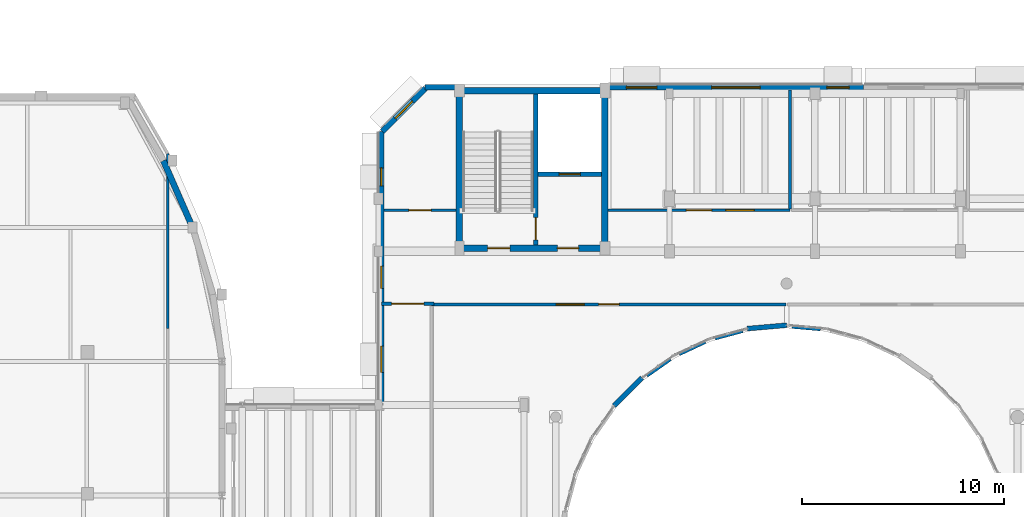
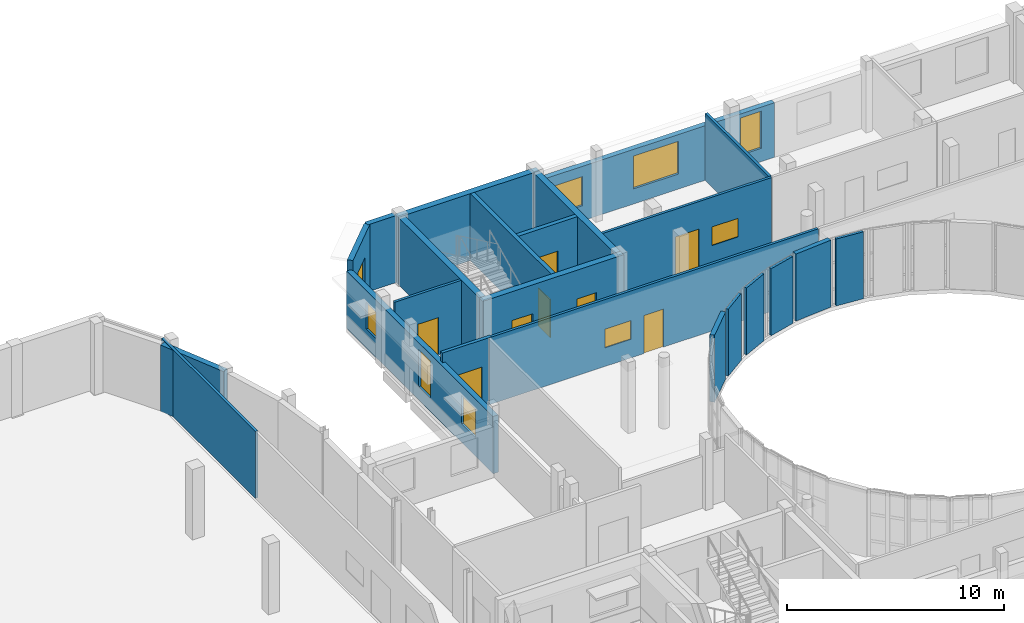
# One storey, part 82 of 105: 23 walls, 9 windows, 8 doors, 17 openings.
"""IFC4 building model written with IfcOpenShell, lengths in metres."""

from ifc_helpers import new_model, si_unit, direction, frame, frame_2d, origin, place, context, subcontext, project, spatial, rectangle, extrude, material, layer, layer_set, type_object, element, fill, save


model = new_model("IFC4")

# Units and contexts
model_context = context("Model", 3, precision=1e-05, world=origin(), true_north=direction((0.0, 1.0)))
body_context = subcontext(model_context, "Body", "Model", "MODEL_VIEW")
ifc_project = project(units=[si_unit("LENGTHUNIT", "METRE"), si_unit("AREAUNIT", "SQUARE_METRE"), si_unit("VOLUMEUNIT", "CUBIC_METRE"), si_unit("PLANEANGLEUNIT", "RADIAN"), si_unit("MASSUNIT", "GRAM", prefix="KILO")], contexts=[model_context])

# Site, building, storey
site_placement = place(None, origin())
site = spatial("IfcSite", under=ifc_project, at=site_placement, CompositionType="ELEMENT")
building_placement = place(site_placement, origin())
building = spatial("IfcBuilding", under=site, at=building_placement, Name="Kelanivale Promenade Academy", CompositionType="ELEMENT")
storey_placement = place(building_placement, frame((0.0, 0.0, 4.199951171875)))
storey = spatial("IfcBuildingStorey", under=building, at=storey_placement, Name="L01", CompositionType="ELEMENT", Elevation=4.199951171875)

# Wall, openings, doors
ifc_material_1 = material(Name="Concrete C40/50", Category="concrete")
ifc_layer_1 = layer(ifc_material_1, 0.330078125)
ifc_layer_set_1 = layer_set([ifc_layer_1], Name="Concrete C40/50")
wall_type_1 = type_object("IfcWallType", Name="CW-S1 Wall 330mm", PredefinedType="SHEAR", material=ifc_layer_set_1)
wall_1_placement = place(storey_placement, frame((47.034912109375, 71.75, 0.0), z_axis=(0.0, 0.0, 1.0), x_axis=(1.0, 0.0, 0.0)))
wall_1 = element("IfcWall", 1, at=wall_1_placement, inside=storey, type_object=wall_type_1, Name="CORE-4 RC shear wall S L01", PredefinedType="SHEAR", context=body_context, shape_type="SweptSolid", body=[
    extrude(rectangle(XDim=7.530029296875, YDim=0.330078125, at=frame_2d((3.76513671875, 0.0))), origin(), (0.0, 0.0, 1.0), 3.780029296875),
])
opening_1_placement = place(wall_1_placement, frame((5.014892578125, 0.0, 0.0)))
opening_1 = element("IfcOpeningElement", 2, at=opening_1_placement, cuts=wall_1, Name="Opening FD-CORE-4-LB-L01", PredefinedType="OPENING", context=body_context, shape_type="SweptSolid", body=[
    extrude(rectangle(XDim=1.050048828125, YDim=2.14990234375, at=frame_2d((0.52490234375, 1.074951171875))), frame((0.0, 0.175048828125, 0.0), z_axis=(0.0, -1.0, 0.0), x_axis=(1.0, 0.0, 0.0)), (0.0, 0.0, 1.0), 0.35009765625),
])
opening_2_placement = place(wall_1_placement, frame((1.56494140625, 0.0, 0.0)))
opening_2 = element("IfcOpeningElement", 3, at=opening_2_placement, cuts=wall_1, Name="Opening FD-CORE-4-ST-L01", PredefinedType="OPENING", context=body_context, shape_type="SweptSolid", body=[
    extrude(rectangle(XDim=1.10009765625, YDim=2.14990234375, at=frame_2d((0.550048828125, 1.074951171875))), frame((0.0, 0.175048828125, 0.0), z_axis=(0.0, -1.0, 0.0), x_axis=(1.0, 0.0, 0.0)), (0.0, 0.0, 1.0), 0.35009765625),
])
ifc_material_2 = material(Name="Fire-rated steel-core teak veneer", Category="steel")
door_type_1 = type_object("IfcDoorType", Name="DT-F01 Door 1100x2150", OperationType="NOTDEFINED", PredefinedType="DOOR", material=ifc_material_2)
door_1_placement = place(opening_2_placement, frame((1.10009765625, 0.0, 0.0), z_axis=(0.0, 0.0, 1.0), x_axis=(-1.0, 0.0, 0.0)))
door_1 = element("IfcDoor", 4, at=door_1_placement, inside=storey, type_object=door_type_1, Name="CORE-4 protected stair fire door L01", OperationType="SINGLE_SWING_RIGHT", OverallHeight=2.14990234375, OverallWidth=1.10009765625, PredefinedType="DOOR", context=body_context, shape_type="SweptSolid", body=[
    extrude(rectangle(XDim=1.10009765625, YDim=2.14990234375, at=frame_2d((0.550048828125, 1.074951171875))), frame((0.0, 0.02490234375, 0.0), z_axis=(0.0, -1.0, 0.0), x_axis=(1.0, 0.0, 0.0)), (0.0, 0.0, 1.0), 0.050048828125),
])
fill(opening_2, door_1)
door_type_2 = type_object("IfcDoorType", Name="DT-F03 Door 1050x2150", OperationType="NOTDEFINED", PredefinedType="DOOR", material=ifc_material_2)
door_2_placement = place(opening_1_placement, origin())
door_2 = element("IfcDoor", 5, at=door_2_placement, inside=storey, type_object=door_type_2, Name="CORE-4 corridor-to-lobby fire door L01", OperationType="SINGLE_SWING_LEFT", OverallHeight=2.14990234375, OverallWidth=1.050048828125, PredefinedType="DOOR", context=body_context, shape_type="SweptSolid", body=[
    extrude(rectangle(XDim=1.050048828125, YDim=2.14990234375, at=frame_2d((0.52490234375, 1.074951171875))), frame((0.0, 0.02490234375, 0.0), z_axis=(0.0, -1.0, 0.0), x_axis=(1.0, 0.0, 0.0)), (0.0, 0.0, 1.0), 0.050048828125),
])
fill(opening_1, door_2)

# Walls
wall_2_placement = place(storey_placement, frame((47.034912109375, 79.550048828125, 0.0), z_axis=(0.0, 0.0, 1.0), x_axis=(1.0, 0.0, 0.0)))
element("IfcWall", 6, at=wall_2_placement, inside=storey, type_object=wall_type_1, Name="CORE-4 RC shear wall N L01", PredefinedType="SHEAR", context=body_context, shape_type="SweptSolid", body=[
    extrude(rectangle(XDim=7.530029296875, YDim=0.330078125, at=frame_2d((3.76513671875, 0.0))), origin(), (0.0, 0.0, 1.0), 3.780029296875),
])
for number, where, z_axis, x_axis, name in (
    (7, (47.199951171875, 71.9150390625, 0.0), (0.0, 0.0, 1.0), (0.0, 1.0, 0.0), "CORE-4 RC shear wall W L01"),
    (8, (54.39990234375, 71.9150390625, 0.0), (0.0, 0.0, 1.0), (0.0, 1.0, 0.0), "CORE-4 RC shear wall E L01"),
):
    element("IfcWall", number, at=place(storey_placement, frame(where, z_axis=z_axis, x_axis=x_axis)), inside=storey, type_object=wall_type_1, Name=name, PredefinedType="SHEAR", context=body_context, shape_type="SweptSolid", body=[
        extrude(rectangle(XDim=7.469970703125, YDim=0.330078125, at=frame_2d((3.73486328125, 0.0))), origin(), (0.0, 0.0, 1.0), 3.780029296875),
    ])

# Wall, opening, door
ifc_layer_2 = layer(ifc_material_1, 0.22509765625)
ifc_layer_set_2 = layer_set([ifc_layer_2], Name="Concrete C40/50")
wall_type_2 = type_object("IfcWallType", Name="CW-S2 Wall 225mm", PredefinedType="SHEAR", material=ifc_layer_set_2)
wall_3_placement = place(storey_placement, frame((51.0849609375, 75.419921875, 0.0), z_axis=(0.0, 0.0, 1.0), x_axis=(1.0, 0.0, 0.0)))
wall_3 = element("IfcWall", 9, at=wall_3_placement, inside=storey, type_object=wall_type_2, Name="CORE-4 lift shaft front RC wall L01", PredefinedType="SHEAR", context=body_context, shape_type="SweptSolid", body=[
    extrude(rectangle(XDim=3.150146484375, YDim=0.22509765625, at=frame_2d((1.5751953125, 0.0))), origin(), (0.0, 0.0, 1.0), 3.780029296875),
])
opening_3_placement = place(wall_3_placement, frame((1.050048828125, 0.0, 0.0)))
opening_3 = element("IfcOpeningElement", 10, at=opening_3_placement, cuts=wall_3, Name="Opening LD-LF-P2-L01", PredefinedType="OPENING", context=body_context, shape_type="SweptSolid", body=[
    extrude(rectangle(XDim=1.050048828125, YDim=2.199951171875, at=frame_2d((0.52490234375, 1.10009765625))), frame((0.0, 0.12255859375, 0.0), z_axis=(0.0, -1.0, 0.0), x_axis=(1.0, 0.0, 0.0)), (0.0, 0.0, 1.0), 0.2451171875),
])
door_type_3 = type_object("IfcDoorType", Name="LD-PL1 Door 1050x2200", OperationType="NOTDEFINED", PredefinedType="DOOR", material=ifc_material_2)
door_3_placement = place(opening_3_placement, origin())
door_3 = element("IfcDoor", 11, at=door_3_placement, inside=storey, type_object=door_type_3, Name="Passenger lift landing door LD-LF-P2-L01", OperationType="SLIDING_TO_LEFT", OverallHeight=2.199951171875, OverallWidth=1.050048828125, PredefinedType="DOOR", context=body_context, shape_type="SweptSolid", body=[
    extrude(rectangle(XDim=1.050048828125, YDim=2.199951171875, at=frame_2d((0.52490234375, 1.10009765625))), frame((0.0, 0.02490234375, 0.0), z_axis=(0.0, -1.0, 0.0), x_axis=(1.0, 0.0, 0.0)), (0.0, 0.0, 1.0), 0.050048828125),
])
fill(opening_3, door_3)

ifc_layer_3 = layer(ifc_material_1, 0.219970703125)
ifc_layer_set_3 = layer_set([ifc_layer_3], Name="Concrete C40/50")
wall_type_3 = type_object("IfcWallType", Name="CW-S3 Wall 220mm", PredefinedType="SHEAR", material=ifc_layer_set_3)
wall_4_placement = place(storey_placement, frame((50.97509765625, 71.9150390625, 0.0), z_axis=(0.0, 0.0, 1.0), x_axis=(0.0, 1.0, 0.0)))
wall_4 = element("IfcWall", 12, at=wall_4_placement, inside=storey, type_object=wall_type_3, Name="CORE-4 stair-lobby dividing RC wall L01", PredefinedType="SHEAR", context=body_context, shape_type="SweptSolid", body=[
    extrude(rectangle(XDim=7.469970703125, YDim=0.219970703125, at=frame_2d((3.73486328125, 0.0))), origin(), (0.0, 0.0, 1.0), 3.780029296875),
])
opening_4_placement = place(wall_4_placement, frame((0.25, 0.0, 0.0)))
opening_4 = element("IfcOpeningElement", 13, at=opening_4_placement, cuts=wall_4, Name="Opening FD-CORE-4-SL-L01", PredefinedType="OPENING", context=body_context, shape_type="SweptSolid", body=[
    extrude(rectangle(XDim=1.10009765625, YDim=2.14990234375, at=frame_2d((0.550048828125, 1.074951171875))), frame((0.0, 0.1201171875, 0.0), z_axis=(0.0, -1.0, 0.0), x_axis=(1.0, 0.0, 0.0)), (0.0, 0.0, 1.0), 0.239990234375),
])
door_4_placement = place(opening_4_placement, origin())
door_4 = element("IfcDoor", 14, at=door_4_placement, inside=storey, type_object=door_type_1, Name="CORE-4 lobby-to-stair fire door L01", OperationType="SINGLE_SWING_RIGHT", OverallHeight=2.14990234375, OverallWidth=1.10009765625, PredefinedType="DOOR", context=body_context, shape_type="SweptSolid", body=[
    extrude(rectangle(XDim=1.10009765625, YDim=2.14990234375, at=frame_2d((0.550048828125, 1.074951171875))), frame((0.0, 0.02490234375, 0.0), z_axis=(0.0, -1.0, 0.0), x_axis=(1.0, 0.0, 0.0)), (0.0, 0.0, 1.0), 0.050048828125),
])
fill(opening_4, door_4)

# Wall
ifc_material_3 = material(Name="Insulated terracotta-clad masonry wall 300 mm", Category="masonry")
ifc_layer_4 = layer(ifc_material_3, 0.300048828125)
ifc_layer_set_4 = layer_set([ifc_layer_4], Name="Insulated terracotta-clad masonry wall 300 mm")
wall_type_4 = type_object("IfcWallType", Name="EW-01 Wall 300mm", PredefinedType="SOLIDWALL", material=ifc_layer_set_4)
wall_5_placement = place(storey_placement, frame((34.0, 72.77099609375, 0.0), z_axis=(0.0, 0.0, 1.0), x_axis=(-0.400740958437, 0.916191401526, 0.0)))
element("IfcWall", 15, at=wall_5_placement, inside=storey, type_object=wall_type_4, Name="Sports Hall Crescent Pavilion inner crescent wall L01", PredefinedType="SOLIDWALL", context=body_context, shape_type="SweptSolid", body=[
    extrude(rectangle(XDim=3.6181640625, YDim=0.300048828125, at=frame_2d((1.80908203125, 0.0))), origin(), (0.0, 0.0, 1.0), 3.7451171875),
])

# Wall, openings, windows
ifc_material_4 = material(Name="Insulated ivory stucco masonry wall 280 mm", Category="masonry")
ifc_layer_5 = layer(ifc_material_4, 0.280029296875)
ifc_layer_set_5 = layer_set([ifc_layer_5], Name="Insulated ivory stucco masonry wall 280 mm")
wall_type_5 = type_object("IfcWallType", Name="EW-02 Wall 280mm", PredefinedType="SOLIDWALL", material=ifc_layer_set_5)
wall_6_placement = place(storey_placement, frame((67.199951171875, 79.7099609375, 0.0), z_axis=(0.0, 0.0, 1.0), x_axis=(-1.0, 0.0, 0.0)))
wall_6 = element("IfcWall", 16, at=wall_6_placement, inside=storey, type_object=wall_type_5, Name="L01 exterior facade wall EW-L01-ORT-0383", PredefinedType="SOLIDWALL", context=body_context, shape_type="SweptSolid", body=[
    extrude(rectangle(XDim=12.635009765625, YDim=0.280029296875, at=frame_2d((6.3173828125, 0.0))), origin(), (0.0, 0.0, 1.0), 3.074951171875),
])
opening_5_placement = place(wall_6_placement, frame((0.7060546875, 0.0, 0.75)))
opening_5 = element("IfcOpeningElement", 17, at=opening_5_placement, cuts=wall_6, Name="Opening WT-17", PredefinedType="OPENING", context=body_context, shape_type="SweptSolid", body=[
    extrude(rectangle(XDim=1.10009765625, YDim=2.10009765625, at=frame_2d((0.550048828125, 1.050048828125))), frame((0.0, 0.14990234375, 0.0), z_axis=(0.0, -1.0, 0.0), x_axis=(1.0, 0.0, 0.0)), (0.0, 0.0, 1.0), 0.300048828125),
])
opening_6_placement = place(wall_6_placement, frame((5.117919921875, 0.0, 0.85009765625)))
opening_6 = element("IfcOpeningElement", 18, at=opening_6_placement, cuts=wall_6, Name="Opening WT-03", PredefinedType="OPENING", context=body_context, shape_type="SweptSolid", body=[
    extrude(rectangle(XDim=2.39990234375, YDim=1.85009765625, at=frame_2d((1.199951171875, 0.925048828125))), frame((0.0, 0.14990234375, 0.0), z_axis=(0.0, -1.0, 0.0), x_axis=(1.0, 0.0, 0.0)), (0.0, 0.0, 1.0), 0.300048828125),
])
opening_7_placement = place(wall_6_placement, frame((10.22900390625, 0.0, 0.85009765625)))
opening_7 = element("IfcOpeningElement", 19, at=opening_7_placement, cuts=wall_6, Name="Opening WT-04", PredefinedType="OPENING", context=body_context, shape_type="SweptSolid", body=[
    extrude(rectangle(XDim=1.5, YDim=1.64990234375, at=frame_2d((0.75, 0.824951171875))), frame((0.0, 0.14990234375, 0.0), z_axis=(0.0, -1.0, 0.0), x_axis=(1.0, 0.0, 0.0)), (0.0, 0.0, 1.0), 0.300048828125),
])
ifc_material_5 = material(Name="Bronze anodised aluminium frame with low-E laminated glass", Category="aluminium")
window_type_1 = type_object("IfcWindowType", Name="WT-03 Window 2400x1850", PartitioningType="SINGLE_PANEL", PredefinedType="WINDOW", material=ifc_material_5)
window_1_placement = place(opening_6_placement, origin())
window_1 = element("IfcWindow", 20, at=window_1_placement, inside=storey, type_object=window_type_1, Name="Window WT-03", OverallHeight=1.85009765625, OverallWidth=2.39990234375, PartitioningType="SINGLE_PANEL", PredefinedType="WINDOW", context=body_context, shape_type="SweptSolid", body=[
    extrude(rectangle(XDim=2.39990234375, YDim=1.85009765625, at=frame_2d((1.199951171875, 0.925048828125))), frame((0.0, 0.030029296875, 0.0), z_axis=(0.0, -1.0, 0.0), x_axis=(1.0, 0.0, 0.0)), (0.0, 0.0, 1.0), 0.06005859375),
])
fill(opening_6, window_1)
window_type_2 = type_object("IfcWindowType", Name="WT-04 Window 1500x1650", PartitioningType="SINGLE_PANEL", PredefinedType="WINDOW", material=ifc_material_5)
window_2_placement = place(opening_7_placement, origin())
window_2 = element("IfcWindow", 21, at=window_2_placement, inside=storey, type_object=window_type_2, Name="Window WT-04", OverallHeight=1.64990234375, OverallWidth=1.5, PartitioningType="SINGLE_PANEL", PredefinedType="WINDOW", context=body_context, shape_type="SweptSolid", body=[
    extrude(rectangle(XDim=1.5, YDim=1.64990234375, at=frame_2d((0.75, 0.824951171875))), frame((0.0, 0.030029296875, 0.0), z_axis=(0.0, -1.0, 0.0), x_axis=(1.0, 0.0, 0.0)), (0.0, 0.0, 1.0), 0.06005859375),
])
fill(opening_7, window_2)
window_type_3 = type_object("IfcWindowType", Name="WT-17 Window 1100x2100", PartitioningType="SINGLE_PANEL", PredefinedType="WINDOW", material=ifc_material_5)
window_3_placement = place(opening_5_placement, origin())
window_3 = element("IfcWindow", 22, at=window_3_placement, inside=storey, type_object=window_type_3, Name="Window WT-17", OverallHeight=2.10009765625, OverallWidth=1.10009765625, PartitioningType="SINGLE_PANEL", PredefinedType="WINDOW", context=body_context, shape_type="SweptSolid", body=[
    extrude(rectangle(XDim=1.10009765625, YDim=2.10009765625, at=frame_2d((0.550048828125, 1.050048828125))), frame((0.0, 0.030029296875, 0.0), z_axis=(0.0, -1.0, 0.0), x_axis=(1.0, 0.0, 0.0)), (0.0, 0.0, 1.0), 0.06005859375),
])
fill(opening_5, window_3)

# Wall
wall_7_placement = place(storey_placement, frame((47.034912109375, 79.7099609375, 0.0), z_axis=(0.0, 0.0, 1.0), x_axis=(-1.0, 0.0, 0.0)))
element("IfcWall", 23, at=wall_7_placement, inside=storey, type_object=wall_type_5, Name="L01 exterior facade wall EW-L01-ORT-0384", PredefinedType="SOLIDWALL", context=body_context, shape_type="SweptSolid", body=[
    extrude(rectangle(XDim=1.52294921875, YDim=0.280029296875, at=frame_2d((0.761474609375, 0.0))), origin(), (0.0, 0.0, 1.0), 3.780029296875),
])

# Wall, opening, window
wall_8_placement = place(storey_placement, frame((45.52392578125, 79.666015625, 0.0), z_axis=(0.0, 0.0, 1.0), x_axis=(-0.707066445384, -0.707147114688, 0.0)))
wall_8 = element("IfcWall", 24, at=wall_8_placement, inside=storey, type_object=wall_type_5, Name="L01 exterior facade wall EW-L01-ORT-0385", PredefinedType="SOLIDWALL", context=body_context, shape_type="SweptSolid", body=[
    extrude(rectangle(XDim=3.0263671875, YDim=0.280029296875, at=frame_2d((1.51318359375, 0.0))), origin(), (0.0, 0.0, 1.0), 3.780029296875),
])
opening_8_placement = place(wall_8_placement, frame((0.9130859375, 0.0, 0.85009765625)))
opening_8 = element("IfcOpeningElement", 25, at=opening_8_placement, cuts=wall_8, Name="Opening WT-05", PredefinedType="OPENING", context=body_context, shape_type="SweptSolid", body=[
    extrude(rectangle(XDim=1.199951171875, YDim=1.64990234375, at=frame_2d((0.60009765625, 0.824951171875))), frame((0.0, 0.14990234375, 0.0), z_axis=(0.0, -1.0, 0.0), x_axis=(1.0, 0.0, 0.0)), (0.0, 0.0, 1.0), 0.300048828125),
])
window_type_4 = type_object("IfcWindowType", Name="WT-05 Window 1200x1650", PartitioningType="SINGLE_PANEL", PredefinedType="WINDOW", material=ifc_material_5)
window_4_placement = place(opening_8_placement, origin())
window_4 = element("IfcWindow", 26, at=window_4_placement, inside=storey, type_object=window_type_4, Name="Window WT-05", OverallHeight=1.64990234375, OverallWidth=1.199951171875, PartitioningType="SINGLE_PANEL", PredefinedType="WINDOW", context=body_context, shape_type="SweptSolid", body=[
    extrude(rectangle(XDim=1.199951171875, YDim=1.64990234375, at=frame_2d((0.60009765625, 0.824951171875))), frame((0.0, 0.030029296875, 0.0), z_axis=(0.0, -1.0, 0.0), x_axis=(1.0, 0.0, 0.0)), (0.0, 0.0, 1.0), 0.06005859375),
])
fill(opening_8, window_4)

# Wall, openings, windows
wall_9_placement = place(storey_placement, frame((43.340087890625, 77.5380859375, 0.0), z_axis=(0.0, 0.0, 1.0), x_axis=(0.0, -1.0, 0.0)))
wall_9 = element("IfcWall", 27, at=wall_9_placement, inside=storey, type_object=wall_type_5, Name="L01 exterior facade wall EW-L01-ORT-0386", PredefinedType="SOLIDWALL", context=body_context, shape_type="SweptSolid", body=[
    extrude(rectangle(XDim=13.5380859375, YDim=0.280029296875, at=frame_2d((6.76904296875, 0.0))), origin(), (0.0, 0.0, 1.0), 3.22509765625),
])
opening_9_placement = place(wall_9_placement, frame((1.805908203125, 0.0, 1.050048828125)))
opening_9 = element("IfcOpeningElement", 28, at=opening_9_placement, cuts=wall_9, Name="Opening WT-06", PredefinedType="OPENING", context=body_context, shape_type="SweptSolid", body=[
    extrude(rectangle(XDim=0.89990234375, YDim=1.5, at=frame_2d((0.449951171875, 0.75))), frame((0.0, 0.14990234375, 0.0), z_axis=(0.0, -1.0, 0.0), x_axis=(1.0, 0.0, 0.0)), (0.0, 0.0, 1.0), 0.300048828125),
])
opening_10_placement = place(wall_9_placement, frame((6.6689453125, 0.0, 0.75)))
opening_10 = element("IfcOpeningElement", 29, at=opening_10_placement, cuts=wall_9, Name="Opening WT-17", PredefinedType="OPENING", context=body_context, shape_type="SweptSolid", body=[
    extrude(rectangle(XDim=1.10009765625, YDim=2.10009765625, at=frame_2d((0.550048828125, 1.050048828125))), frame((0.0, 0.14990234375, 0.0), z_axis=(0.0, -1.0, 0.0), x_axis=(1.0, 0.0, 0.0)), (0.0, 0.0, 1.0), 0.300048828125),
])
opening_11_placement = place(wall_9_placement, frame((10.632080078125, 0.0, 1.050048828125)))
opening_11 = element("IfcOpeningElement", 30, at=opening_11_placement, cuts=wall_9, Name="Opening WT-23", PredefinedType="OPENING", context=body_context, shape_type="SweptSolid", body=[
    extrude(rectangle(XDim=1.300048828125, YDim=1.60009765625, at=frame_2d((0.64990234375, 0.800048828125))), frame((0.0, 0.14990234375, 0.0), z_axis=(0.0, -1.0, 0.0), x_axis=(1.0, 0.0, 0.0)), (0.0, 0.0, 1.0), 0.300048828125),
])
window_type_5 = type_object("IfcWindowType", Name="WT-06 Window 900x1500", PartitioningType="SINGLE_PANEL", PredefinedType="WINDOW", material=ifc_material_5)
window_5_placement = place(opening_9_placement, origin())
window_5 = element("IfcWindow", 31, at=window_5_placement, inside=storey, type_object=window_type_5, Name="Window WT-06", OverallHeight=1.5, OverallWidth=0.89990234375, PartitioningType="SINGLE_PANEL", PredefinedType="WINDOW", context=body_context, shape_type="SweptSolid", body=[
    extrude(rectangle(XDim=0.89990234375, YDim=1.5, at=frame_2d((0.449951171875, 0.75))), frame((0.0, 0.030029296875, 0.0), z_axis=(0.0, -1.0, 0.0), x_axis=(1.0, 0.0, 0.0)), (0.0, 0.0, 1.0), 0.06005859375),
])
fill(opening_9, window_5)
window_6_placement = place(opening_10_placement, origin())
window_6 = element("IfcWindow", 32, at=window_6_placement, inside=storey, type_object=window_type_3, Name="Window WT-17", OverallHeight=2.10009765625, OverallWidth=1.10009765625, PartitioningType="SINGLE_PANEL", PredefinedType="WINDOW", context=body_context, shape_type="SweptSolid", body=[
    extrude(rectangle(XDim=1.10009765625, YDim=2.10009765625, at=frame_2d((0.550048828125, 1.050048828125))), frame((0.0, 0.030029296875, 0.0), z_axis=(0.0, -1.0, 0.0), x_axis=(1.0, 0.0, 0.0)), (0.0, 0.0, 1.0), 0.06005859375),
])
fill(opening_10, window_6)
window_type_6 = type_object("IfcWindowType", Name="WT-23 Window 1300x1600", PartitioningType="SINGLE_PANEL", PredefinedType="WINDOW", material=ifc_material_5)
window_7_placement = place(opening_11_placement, origin())
window_7 = element("IfcWindow", 33, at=window_7_placement, inside=storey, type_object=window_type_6, Name="Window WT-23", OverallHeight=1.60009765625, OverallWidth=1.300048828125, PartitioningType="SINGLE_PANEL", PredefinedType="WINDOW", context=body_context, shape_type="SweptSolid", body=[
    extrude(rectangle(XDim=1.300048828125, YDim=1.60009765625, at=frame_2d((0.64990234375, 0.800048828125))), frame((0.0, 0.030029296875, 0.0), z_axis=(0.0, -1.0, 0.0), x_axis=(1.0, 0.0, 0.0)), (0.0, 0.0, 1.0), 0.06005859375),
])
fill(opening_11, window_7)

# Walls
ifc_material_6 = material(Name="Insulated courtyard stucco masonry wall 240 mm", Category="masonry")
ifc_layer_6 = layer(ifc_material_6, 0.239990234375)
ifc_layer_set_6 = layer_set([ifc_layer_6], Name="Insulated courtyard stucco masonry wall 240 mm")
wall_type_6 = type_object("IfcWallType", Name="EW-04 Wall 240mm", PredefinedType="SOLIDWALL", material=ifc_layer_set_6)
wall_10_placement = place(storey_placement, frame((63.4130859375, 67.94091796875, 0.0), z_axis=(0.0, 0.0, 1.0), x_axis=(-0.996221008334, -0.0868544907, 0.0)))
element("IfcWall", 34, at=wall_10_placement, inside=storey, type_object=wall_type_6, Name="L01 round courtyard stucco wall", PredefinedType="SOLIDWALL", context=body_context, shape_type="SweptSolid", body=[
    extrude(rectangle(XDim=1.967529296875, YDim=0.239990234375, at=frame_2d((0.98388671875, 0.0))), origin(), (0.0, 0.0, 1.0), 3.780029296875),
])
wall_11_placement = place(storey_placement, frame((56.248046875, 65.343017578125, 0.0), z_axis=(0.0, 0.0, 1.0), x_axis=(-0.707106781187, -0.707106781187, 0.0)))
element("IfcWall", 35, at=wall_11_placement, inside=storey, type_object=wall_type_6, Name="L01 round courtyard stucco wall", PredefinedType="SOLIDWALL", context=body_context, shape_type="SweptSolid", body=[
    extrude(rectangle(XDim=1.96728515625, YDim=0.239990234375, at=frame_2d((0.983642578125, 0.0))), origin(), (0.0, 0.0, 1.0), 3.780029296875),
])

# Wall, opening, door
ifc_material_7 = material(Name="Autoclaved masonry blockwork 180 mm", Category="masonry")
ifc_layer_7 = layer(ifc_material_7, 0.179931640625)
ifc_layer_set_7 = layer_set([ifc_layer_7], Name="Autoclaved masonry blockwork 180 mm")
wall_type_7 = type_object("IfcWallType", Name="IW-02 Wall 180mm", PredefinedType="PARTITIONING", material=ifc_layer_set_7)
wall_12_placement = place(storey_placement, frame((43.341064453125, 69.0, 0.0), z_axis=(0.0, 0.0, 1.0), x_axis=(1.0, 0.0, 0.0)))
wall_12 = element("IfcWall", 36, at=wall_12_placement, inside=storey, type_object=wall_type_7, Name="L01 cross-corridor fire wall", PredefinedType="PARTITIONING", context=body_context, shape_type="SweptSolid", body=[
    extrude(rectangle(XDim=2.60888671875, YDim=0.179931640625, at=frame_2d((1.304443359375, 0.0))), origin(), (0.0, 0.0, 1.0), 3.780029296875),
])
opening_12_placement = place(wall_12_placement, frame((0.5048828125, 0.0, 0.0)))
opening_12 = element("IfcOpeningElement", 37, at=opening_12_placement, cuts=wall_12, Name="Opening FD-L01-CC-063", PredefinedType="OPENING", context=body_context, shape_type="SweptSolid", body=[
    extrude(rectangle(XDim=1.60009765625, YDim=2.25, at=frame_2d((0.800048828125, 1.125))), frame((0.0, 0.10009765625, 0.0), z_axis=(0.0, -1.0, 0.0), x_axis=(1.0, 0.0, 0.0)), (0.0, 0.0, 1.0), 0.199951171875),
])
door_type_4 = type_object("IfcDoorType", Name="DT-F09 Door 1600x2250", OperationType="NOTDEFINED", PredefinedType="DOOR", material=ifc_material_2)
door_5_placement = place(opening_12_placement, origin())
door_5 = element("IfcDoor", 38, at=door_5_placement, inside=storey, type_object=door_type_4, Name="L01 cross-corridor fire door FD-L01-CC-063", OperationType="DOUBLE_DOOR_SINGLE_SWING", OverallHeight=2.25, OverallWidth=1.60009765625, PredefinedType="DOOR", context=body_context, shape_type="SweptSolid", body=[
    extrude(rectangle(XDim=1.60009765625, YDim=2.25, at=frame_2d((0.800048828125, 1.125))), frame((0.0, 0.02490234375, 0.0), z_axis=(0.0, -1.0, 0.0), x_axis=(1.0, 0.0, 0.0)), (0.0, 0.0, 1.0), 0.050048828125),
])
fill(opening_12, door_5)

# Walls
ifc_material_8 = material(Name="Acoustic double-stud gypsum board partition 140 mm", Category="masonry")
ifc_layer_8 = layer(ifc_material_8, 0.139892578125)
ifc_layer_set_8 = layer_set([ifc_layer_8], Name="Acoustic double-stud gypsum board partition 140 mm")
wall_type_8 = type_object("IfcWallType", Name="IW-04 Wall 140mm", PredefinedType="PARTITIONING", material=ifc_layer_set_8)
wall_13_placement = place(storey_placement, frame((32.77001953125, 67.77001953125, 0.0), z_axis=(0.0, 0.0, 1.0), x_axis=(0.0, 1.0, 0.0)))
element("IfcWall", 39, at=wall_13_placement, inside=storey, type_object=wall_type_8, Name="L01 partition Multi-Purpose Sports Hall", PredefinedType="PARTITIONING", context=body_context, shape_type="SweptSolid", body=[
    extrude(rectangle(XDim=8.6640625, YDim=0.139892578125, at=frame_2d((4.33203125, 0.0))), origin(), (0.0, 0.0, 1.0), 3.780029296875),
])
wall_14_placement = place(storey_placement, frame((56.4951171875, 65.427978515625, 0.0), z_axis=(0.0, 0.0, 1.0), x_axis=(0.819077743108, 0.57368253481, 0.0)))
element("IfcWall", 40, at=wall_14_placement, inside=storey, type_object=wall_type_8, Name="L01 partition Junior Classroom West B", PredefinedType="PARTITIONING", context=body_context, shape_type="SweptSolid", body=[
    extrude(rectangle(XDim=1.413818359375, YDim=0.139892578125, at=frame_2d((0.70703125, 0.0))), origin(), (0.0, 0.0, 1.0), 3.775146484375),
])
wall_15_placement = place(storey_placement, frame((58.09912109375, 66.49609375, 0.0), z_axis=(0.0, 0.0, 1.0), x_axis=(0.906002021568, 0.423273359561, 0.0)))
element("IfcWall", 41, at=wall_15_placement, inside=storey, type_object=wall_type_8, Name="L01 partition Junior Classroom West B", PredefinedType="PARTITIONING", context=body_context, shape_type="SweptSolid", body=[
    extrude(rectangle(XDim=1.41259765625, YDim=0.139892578125, at=frame_2d((0.706298828125, 0.0))), origin(), (0.0, 0.0, 1.0), 3.775146484375),
])
wall_16_placement = place(storey_placement, frame((59.864013671875, 67.27001953125, 0.0), z_axis=(0.0, 0.0, 1.0), x_axis=(0.966013611766, 0.258491202719, 0.0)))
element("IfcWall", 42, at=wall_16_placement, inside=storey, type_object=wall_type_8, Name="L01 partition Junior Classroom West B", PredefinedType="PARTITIONING", context=body_context, shape_type="SweptSolid", body=[
    extrude(rectangle(XDim=1.412109375, YDim=0.139892578125, at=frame_2d((0.7060546875, 0.0))), origin(), (0.0, 0.0, 1.0), 3.775146484375),
])

# Wall, openings, door, window
wall_17_placement = place(storey_placement, frame((63.3701171875, 68.969970703125, 0.0), z_axis=(0.0, 0.0, 1.0), x_axis=(-1.0, 0.0, 0.0)))
wall_17 = element("IfcWall", 43, at=wall_17_placement, inside=storey, type_object=wall_type_8, Name="L01 partition Junior Classroom West B", PredefinedType="PARTITIONING", context=body_context, shape_type="SweptSolid", body=[
    extrude(rectangle(XDim=17.5400390625, YDim=0.139892578125, at=frame_2d((8.77001953125, 0.0))), origin(), (0.0, 0.0, 1.0), 3.775146484375),
])
opening_13_placement = place(wall_17_placement, frame((8.260009765625, 0.0, 0.0)))
opening_13 = element("IfcOpeningElement", 44, at=opening_13_placement, cuts=wall_17, Name="Opening ID-L01-082", PredefinedType="OPENING", context=body_context, shape_type="SweptSolid", body=[
    extrude(rectangle(XDim=1.02001953125, YDim=2.139892578125, at=frame_2d((0.510009765625, 1.06982421875))), frame((0.0, 0.080078125, 0.0), z_axis=(0.0, -1.0, 0.0), x_axis=(1.0, 0.0, 0.0)), (0.0, 0.0, 1.0), 0.159912109375),
])
opening_14_placement = place(wall_17_placement, frame((9.97998046875, 0.0, 1.050048828125)))
opening_14 = element("IfcOpeningElement", 45, at=opening_14_placement, cuts=wall_17, Name="Opening WT-I03", PredefinedType="OPENING", context=body_context, shape_type="SweptSolid", body=[
    extrude(rectangle(XDim=1.39990234375, YDim=1.050048828125, at=frame_2d((0.699951171875, 0.52490234375))), frame((0.0, 0.080078125, 0.0), z_axis=(0.0, -1.0, 0.0), x_axis=(1.0, 0.0, 0.0)), (0.0, 0.0, 1.0), 0.159912109375),
])
ifc_material_9 = material(Name="Solid-core tropical teak timber", Category="wood")
door_type_5 = type_object("IfcDoorType", Name="DT-I15 Door 1020x2140", OperationType="NOTDEFINED", PredefinedType="DOOR", material=ifc_material_9)
door_6_placement = place(opening_13_placement, origin())
door_6 = element("IfcDoor", 46, at=door_6_placement, inside=storey, type_object=door_type_5, Name="Junior Classroom West B door ID-L01-082", OperationType="SINGLE_SWING_RIGHT", OverallHeight=2.139892578125, OverallWidth=1.02001953125, PredefinedType="DOOR", context=body_context, shape_type="SweptSolid", body=[
    extrude(rectangle(XDim=1.02001953125, YDim=2.139892578125, at=frame_2d((0.510009765625, 1.06982421875))), frame((0.0, 0.02490234375, 0.0), z_axis=(0.0, -1.0, 0.0), x_axis=(1.0, 0.0, 0.0)), (0.0, 0.0, 1.0), 0.050048828125),
])
fill(opening_13, door_6)
window_type_7 = type_object("IfcWindowType", Name="WT-I03 Window 1400x1050", PartitioningType="SINGLE_PANEL", PredefinedType="WINDOW", material=ifc_material_5)
window_8_placement = place(opening_14_placement, origin())
window_8 = element("IfcWindow", 47, at=window_8_placement, inside=storey, type_object=window_type_7, Name="Interior observation window WT-I03", OverallHeight=1.050048828125, OverallWidth=1.39990234375, PartitioningType="SINGLE_PANEL", PredefinedType="WINDOW", context=body_context, shape_type="SweptSolid", body=[
    extrude(rectangle(XDim=1.39990234375, YDim=1.050048828125, at=frame_2d((0.699951171875, 0.52490234375))), frame((0.0, 0.030029296875, 0.0), z_axis=(0.0, -1.0, 0.0), x_axis=(1.0, 0.0, 0.0)), (0.0, 0.0, 1.0), 0.06005859375),
])
fill(opening_14, window_8)

# Wall
wall_18_placement = place(storey_placement, frame((63.677001953125, 67.845947265625, 0.0), z_axis=(0.0, 0.0, 1.0), x_axis=(0.99623071841, -0.086743044083, 0.0)))
element("IfcWall", 48, at=wall_18_placement, inside=storey, type_object=wall_type_8, Name="L01 partition Geography Classroom Courtyard North", PredefinedType="PARTITIONING", context=body_context, shape_type="SweptSolid", body=[
    extrude(rectangle(XDim=1.393310546875, YDim=0.139892578125, at=frame_2d((0.69677734375, 0.0))), origin(), (0.0, 0.0, 1.0), 3.775146484375),
])

# Wall, openings, door, window
wall_19_placement = place(storey_placement, frame((54.56298828125, 73.6298828125, 0.0), z_axis=(0.0, 0.0, 1.0), x_axis=(1.0, 0.0, 0.0)))
wall_19 = element("IfcWall", 49, at=wall_19_placement, inside=storey, type_object=wall_type_8, Name="L01 partition Junior Classroom North 1", PredefinedType="PARTITIONING", context=body_context, shape_type="SweptSolid", body=[
    extrude(rectangle(XDim=9.007080078125, YDim=0.139892578125, at=frame_2d((4.50341796875, 0.0))), origin(), (0.0, 0.0, 1.0), 3.775146484375),
])
opening_15_placement = place(wall_19_placement, frame((3.8779296875, 0.0, 0.0)))
opening_15 = element("IfcOpeningElement", 50, at=opening_15_placement, cuts=wall_19, Name="Opening ID-L01-094", PredefinedType="OPENING", context=body_context, shape_type="SweptSolid", body=[
    extrude(rectangle(XDim=1.25, YDim=2.219970703125, at=frame_2d((0.625, 1.10986328125))), frame((0.0, 0.080078125, 0.0), z_axis=(0.0, -1.0, 0.0), x_axis=(1.0, 0.0, 0.0)), (0.0, 0.0, 1.0), 0.159912109375),
])
opening_16_placement = place(wall_19_placement, frame((5.827880859375, 0.0, 1.050048828125)))
opening_16 = element("IfcOpeningElement", 51, at=opening_16_placement, cuts=wall_19, Name="Opening WT-I03", PredefinedType="OPENING", context=body_context, shape_type="SweptSolid", body=[
    extrude(rectangle(XDim=1.39990234375, YDim=1.050048828125, at=frame_2d((0.699951171875, 0.52490234375))), frame((0.0, 0.080078125, 0.0), z_axis=(0.0, -1.0, 0.0), x_axis=(1.0, 0.0, 0.0)), (0.0, 0.0, 1.0), 0.159912109375),
])
door_type_6 = type_object("IfcDoorType", Name="DT-I19 Door 1250x2220", OperationType="NOTDEFINED", PredefinedType="DOOR", material=ifc_material_9)
door_7_placement = place(opening_15_placement, origin())
door_7 = element("IfcDoor", 52, at=door_7_placement, inside=storey, type_object=door_type_6, Name="Junior Classroom North 1 door ID-L01-094", OperationType="SINGLE_SWING_RIGHT", OverallHeight=2.219970703125, OverallWidth=1.25, PredefinedType="DOOR", context=body_context, shape_type="SweptSolid", body=[
    extrude(rectangle(XDim=1.25, YDim=2.219970703125, at=frame_2d((0.625, 1.10986328125))), frame((0.0, 0.02490234375, 0.0), z_axis=(0.0, -1.0, 0.0), x_axis=(1.0, 0.0, 0.0)), (0.0, 0.0, 1.0), 0.050048828125),
])
fill(opening_15, door_7)
window_9_placement = place(opening_16_placement, origin())
window_9 = element("IfcWindow", 53, at=window_9_placement, inside=storey, type_object=window_type_7, Name="Interior observation window WT-I03", OverallHeight=1.050048828125, OverallWidth=1.39990234375, PartitioningType="SINGLE_PANEL", PredefinedType="WINDOW", context=body_context, shape_type="SweptSolid", body=[
    extrude(rectangle(XDim=1.39990234375, YDim=1.050048828125, at=frame_2d((0.699951171875, 0.52490234375))), frame((0.0, 0.030029296875, 0.0), z_axis=(0.0, -1.0, 0.0), x_axis=(1.0, 0.0, 0.0)), (0.0, 0.0, 1.0), 0.06005859375),
])
fill(opening_16, window_9)

# Wall
wall_20_placement = place(storey_placement, frame((63.570068359375, 73.697998046875, 0.0), z_axis=(0.0, 0.0, 1.0), x_axis=(0.0, 1.0, 0.0)))
element("IfcWall", 54, at=wall_20_placement, inside=storey, type_object=wall_type_8, Name="L01 partition Junior Classroom North 1", PredefinedType="PARTITIONING", context=body_context, shape_type="SweptSolid", body=[
    extrude(rectangle(XDim=5.8740234375, YDim=0.139892578125, at=frame_2d((2.93701171875, 0.0))), origin(), (0.0, 0.0, 1.0), 3.775146484375),
])

# Wall, opening, door
wall_21_placement = place(storey_placement, frame((43.47802734375, 73.6298828125, 0.0), z_axis=(0.0, 0.0, 1.0), x_axis=(1.0, 0.0, 0.0)))
wall_21 = element("IfcWall", 55, at=wall_21_placement, inside=storey, type_object=wall_type_8, Name="L01 partition Pastoral Seminar Room", PredefinedType="PARTITIONING", context=body_context, shape_type="SweptSolid", body=[
    extrude(rectangle(XDim=3.55908203125, YDim=0.139892578125, at=frame_2d((1.779541015625, 0.0))), origin(), (0.0, 0.0, 1.0), 3.775146484375),
])
opening_17_placement = place(wall_21_placement, frame((1.22900390625, 0.0, 0.0)))
opening_17 = element("IfcOpeningElement", 56, at=opening_17_placement, cuts=wall_21, Name="Opening ID-L01-097", PredefinedType="OPENING", context=body_context, shape_type="SweptSolid", body=[
    extrude(rectangle(XDim=1.10009765625, YDim=2.10009765625, at=frame_2d((0.550048828125, 1.050048828125))), frame((0.0, 0.080078125, 0.0), z_axis=(0.0, -1.0, 0.0), x_axis=(1.0, 0.0, 0.0)), (0.0, 0.0, 1.0), 0.159912109375),
])
door_type_7 = type_object("IfcDoorType", Name="DT-I03 Door 1100x2100", OperationType="NOTDEFINED", PredefinedType="DOOR", material=ifc_material_9)
door_8_placement = place(opening_17_placement, origin())
door_8 = element("IfcDoor", 57, at=door_8_placement, inside=storey, type_object=door_type_7, Name="Pastoral Seminar Room door ID-L01-097", OperationType="SINGLE_SWING_LEFT", OverallHeight=2.10009765625, OverallWidth=1.10009765625, PredefinedType="DOOR", context=body_context, shape_type="SweptSolid", body=[
    extrude(rectangle(XDim=1.10009765625, YDim=2.10009765625, at=frame_2d((0.550048828125, 1.050048828125))), frame((0.0, 0.02490234375, 0.0), z_axis=(0.0, -1.0, 0.0), x_axis=(1.0, 0.0, 0.0)), (0.0, 0.0, 1.0), 0.050048828125),
])
fill(opening_17, door_8)

save(model, "model.ifc")
